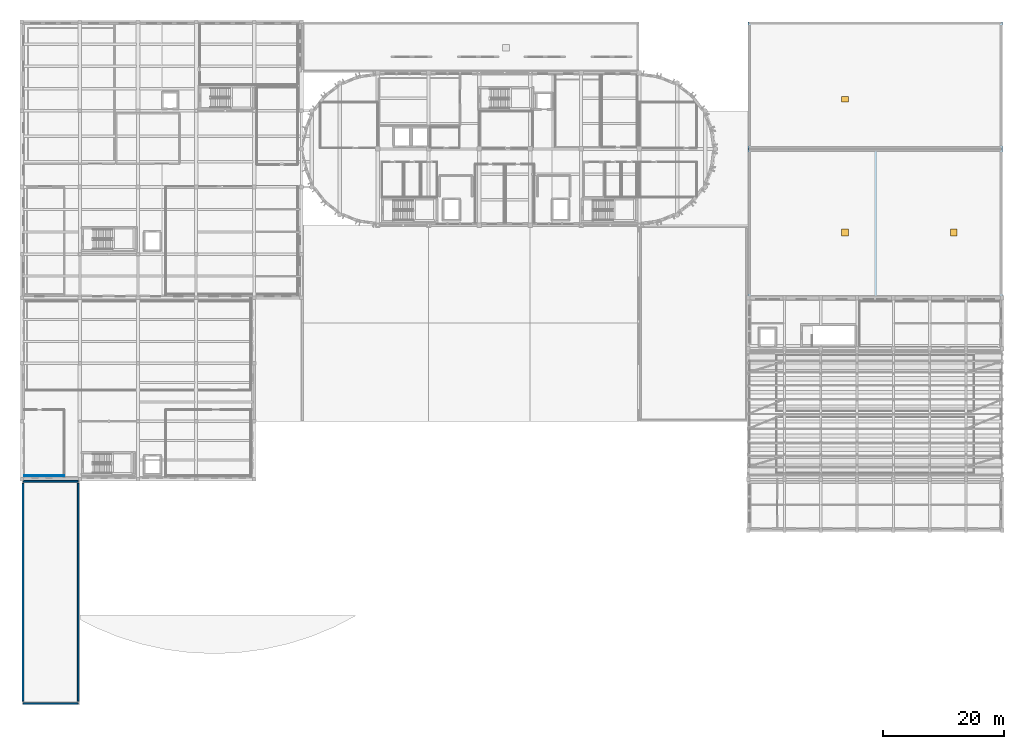
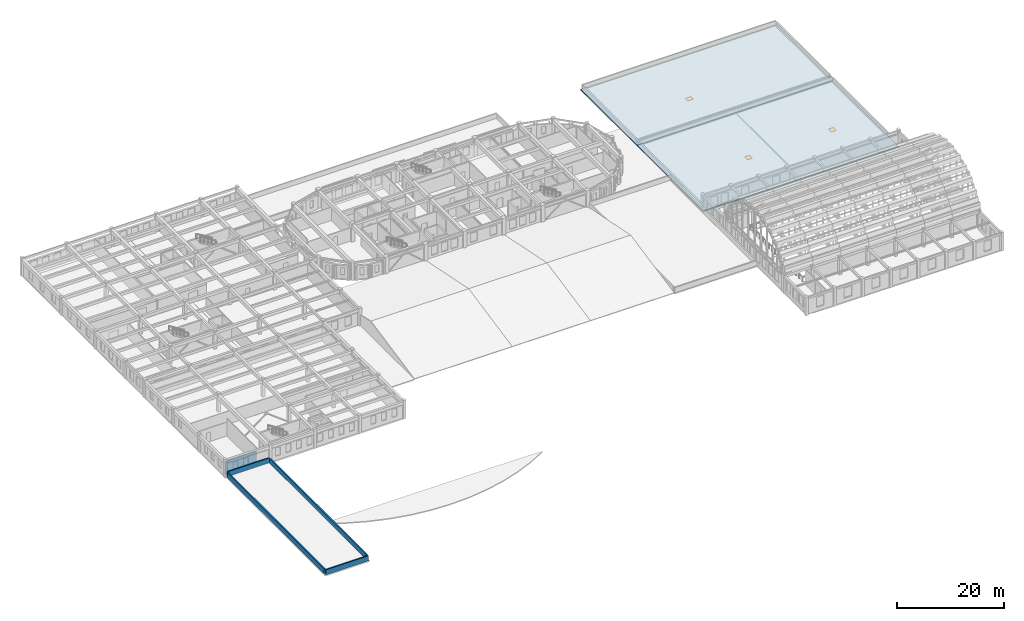
# One storey, part 14 of 46: 5 walls, 3 doors, 2 slabs, 3 openings.
"""IFC4 building model written with IfcOpenShell, lengths in metres."""

from ifc_helpers import new_model, si_unit, direction, frame, frame_2d, origin, origin_2d, place, context, subcontext, project, spatial, polyline, rectangle, outline, extrude, material, layer, layer_set, type_object, element, fill, save


model = new_model("IFC4")

# Units and contexts
model_context = context("Model", 3, precision=1e-05, world=origin(), true_north=direction((0.0, 1.0)))
body_context = subcontext(model_context, "Body", "Model", "MODEL_VIEW")
ifc_project = project(units=[si_unit("LENGTHUNIT", "METRE"), si_unit("AREAUNIT", "SQUARE_METRE"), si_unit("VOLUMEUNIT", "CUBIC_METRE"), si_unit("PLANEANGLEUNIT", "RADIAN"), si_unit("MASSUNIT", "GRAM", prefix="KILO")], contexts=[model_context])

# Site, building, storey
site_placement = place(None, origin())
site = spatial("IfcSite", under=ifc_project, at=site_placement, CompositionType="ELEMENT")
building_placement = place(site_placement, origin())
building = spatial("IfcBuilding", under=site, at=building_placement, Name="Tarnavel Promenade Courthouse", CompositionType="ELEMENT")
storey_placement = place(building_placement, frame((0.0, 0.0, 14.39990234375)))
storey = spatial("IfcBuildingStorey", under=building, at=storey_placement, Name="L04", CompositionType="ELEMENT", Elevation=14.39990234375)

# Slab, openings, doors
ifc_material_1 = material(Name="Concrete C35/45", Category="concrete")
ifc_layer_1 = layer(ifc_material_1, 0.264892578125)
ifc_layer_set_1 = layer_set([ifc_layer_1], Name="Concrete C35/45")
slab_type = type_object("IfcSlabType", Name="Concrete C35/45 SLB-RF-265 (265 mm)", PredefinedType="ROOF", material=ifc_layer_set_1)
slab_1_placement = place(storey_placement, origin())
slab_1 = element("IfcSlab", 1, at=slab_1_placement, inside=storey, type_object=slab_type, Name="L04 Custody Block South Protected Roof", PredefinedType="ROOF", context=body_context, shape_type="SweptSolid", body=[
    extrude(outline(polyline([(120.02001953125, 67.219970703125), (162.0, 67.219970703125), (162.0, 91.780029296875), (120.02001953125, 91.780029296875), (120.02001953125, 67.219970703125)])), origin(), (0.0, 0.0, 1.0), 0.26513671875),
])
opening_1_placement = place(slab_1_placement, frame((136.0, 78.0, 0.0)))
opening_1 = element("IfcOpeningElement", 2, at=opening_1_placement, cuts=slab_1, Name="Opening HT-01", PredefinedType="OPENING", context=body_context, shape_type="SweptSolid", body=[
    extrude(rectangle(XDim=1.10009765625, YDim=1.10009765625, at=origin_2d()), origin(), (0.0, 0.0, 1.0), 0.26513671875),
])
opening_2_placement = place(slab_1_placement, frame((154.0, 78.0, 0.0)))
opening_2 = element("IfcOpeningElement", 3, at=opening_2_placement, cuts=slab_1, Name="Opening HT-01", PredefinedType="OPENING", context=body_context, shape_type="SweptSolid", body=[
    extrude(rectangle(XDim=1.10009765625, YDim=1.10009765625, at=origin_2d()), origin(), (0.0, 0.0, 1.0), 0.26513671875),
])
ifc_material_2 = material(Name="Thermally Broken Insulated Aluminium Roof Access Hatch", Category="aluminium")
door_type_1 = type_object("IfcDoorType", Name="Thermally Broken Insulated Aluminium Roof Access Hatch (HT-RF-1100x1100)", OperationType="NOTDEFINED", PredefinedType="TRAPDOOR", material=ifc_material_2)
door_1_placement = place(opening_1_placement, frame((0.0, 0.0, 0.215087890625)))
door_1 = element("IfcDoor", 4, at=door_1_placement, inside=storey, type_object=door_type_1, Name="L04 Roof Maintenance Access Hatch HT-01", OperationType="SINGLE_SWING_LEFT", OverallHeight=1.10009765625, OverallWidth=1.10009765625, PredefinedType="TRAPDOOR", context=body_context, shape_type="SweptSolid", body=[
    extrude(rectangle(XDim=1.10009765625, YDim=1.10009765625, at=origin_2d()), origin(), (0.0, 0.0, 1.0), 0.050048828125),
])
fill(opening_1, door_1)
door_2_placement = place(opening_2_placement, frame((0.0, 0.0, 0.215087890625)))
door_2 = element("IfcDoor", 5, at=door_2_placement, inside=storey, type_object=door_type_1, Name="L04 Roof Maintenance Access Hatch HT-04", OperationType="SINGLE_SWING_LEFT", OverallHeight=1.10009765625, OverallWidth=1.10009765625, PredefinedType="TRAPDOOR", context=body_context, shape_type="SweptSolid", body=[
    extrude(rectangle(XDim=1.10009765625, YDim=1.10009765625, at=origin_2d()), origin(), (0.0, 0.0, 1.0), 0.050048828125),
])
fill(opening_2, door_2)

# Slab, opening, door
slab_2_placement = place(storey_placement, origin())
slab_2 = element("IfcSlab", 6, at=slab_2_placement, inside=storey, type_object=slab_type, Name="L04 Custody Block North Protected Roof", PredefinedType="ROOF", context=body_context, shape_type="SweptSolid", body=[
    extrude(outline(polyline([(120.02001953125, 91.820068359375), (162.0, 91.820068359375), (162.0, 112.800048828125), (120.02001953125, 112.800048828125), (120.02001953125, 91.820068359375)])), origin(), (0.0, 0.0, 1.0), 0.26513671875),
])
opening_3_placement = place(slab_2_placement, frame((136.0, 100.0, 0.0)))
opening_3 = element("IfcOpeningElement", 7, at=opening_3_placement, cuts=slab_2, Name="Opening HT-02", PredefinedType="OPENING", context=body_context, shape_type="SweptSolid", body=[
    extrude(rectangle(XDim=1.199951171875, YDim=0.89990234375, at=origin_2d()), origin(), (0.0, 0.0, 1.0), 0.26513671875),
])
ifc_material_3 = material(Name="Thermally Broken Insulated Steel Smoke-Vent Roof Hatch", Category="steel")
door_type_2 = type_object("IfcDoorType", Name="Thermally Broken Insulated Steel Smoke-Vent Roof Hatch (HT-RF-1200x0900)", OperationType="NOTDEFINED", PredefinedType="TRAPDOOR", material=ifc_material_3)
door_3_placement = place(opening_3_placement, frame((0.0, 0.0, 0.215087890625)))
door_3 = element("IfcDoor", 8, at=door_3_placement, inside=storey, type_object=door_type_2, Name="L04 Roof Maintenance Access Hatch HT-02", OperationType="SINGLE_SWING_LEFT", OverallHeight=0.89990234375, OverallWidth=1.199951171875, PredefinedType="TRAPDOOR", context=body_context, shape_type="SweptSolid", body=[
    extrude(rectangle(XDim=1.199951171875, YDim=0.89990234375, at=origin_2d()), origin(), (0.0, 0.0, 1.0), 0.050048828125),
])
fill(opening_3, door_3)

# Walls
ifc_layer_2 = layer(ifc_material_1, 0.264892578125)
ifc_layer_set_2 = layer_set([ifc_layer_2], Name="Concrete C35/45")
wall_type_1 = type_object("IfcWallType", Name="Concrete C35/45 WL-PAR-265 (265 mm)", PredefinedType="PARAPET", material=ifc_layer_set_2)
for number, where, z_axis, x_axis, name in (
    (9, (0.199951171875, 36.89990234375, 0.235107421875), (0.0, 0.0, 1.0), (1.0, 0.0, 0.0), "L04 Portal Pavilion Roof Parapet North 0470"),
    (10, (9.300048828125, 0.199951171875, 0.235107421875), (0.0, 0.0, 1.0), (-1.0, 0.0, 0.0), "L04 Portal Pavilion Roof Parapet South 0471"),
):
    element("IfcWall", number, at=place(storey_placement, frame(where, z_axis=z_axis, x_axis=x_axis)), inside=storey, type_object=wall_type_1, Name=name, PredefinedType="PARAPET", context=body_context, shape_type="SweptSolid", body=[
        extrude(rectangle(XDim=9.10009765625, YDim=0.264892578125, at=frame_2d((4.550048828125, 0.0))), origin(), (0.0, 0.0, 1.0), 1.14501953125),
    ])
for number, where, z_axis, x_axis, name in (
    (11, (0.199951171875, 0.550048828125, 0.235107421875), (0.0, 0.0, 1.0), (0.0, 1.0, 0.0), "L04 Portal Pavilion Roof Parapet West 0472"),
    (12, (9.300048828125, 36.550048828125, 0.235107421875), (0.0, 0.0, 1.0), (0.0, -1.0, 0.0), "L04 Portal Pavilion Roof Parapet East 0473"),
):
    element("IfcWall", number, at=place(storey_placement, frame(where, z_axis=z_axis, x_axis=x_axis)), inside=storey, type_object=wall_type_1, Name=name, PredefinedType="PARAPET", context=body_context, shape_type="SweptSolid", body=[
        extrude(rectangle(XDim=36.0, YDim=0.264892578125, at=frame_2d((18.0, 0.0))), origin(), (0.0, 0.0, 1.0), 1.14501953125),
    ])
ifc_material_4 = material(Name="Metal-Stud Acoustic Gypsum Partition", Category="gypsum")
ifc_layer_3 = layer(ifc_material_4, 0.135009765625)
ifc_layer_set_3 = layer_set([ifc_layer_3], Name="Metal-Stud Acoustic Gypsum Partition")
wall_type_2 = type_object("IfcWallType", Name="Metal-Stud Acoustic Gypsum Partition WL-OFF-135 (135 mm)", PredefinedType="PARTITIONING", material=ifc_layer_set_3)
wall_placement = place(storey_placement, frame((7.0, 37.800048828125, 0.0), z_axis=(0.0, 0.0, 1.0), x_axis=(-1.0, 0.0, 0.0)))
element("IfcWall", 13, at=wall_placement, inside=storey, type_object=wall_type_2, Name="L04 L04 Legal Scholars' Study Carrels Partition 0610", PredefinedType="PARTITIONING", context=body_context, shape_type="SweptSolid", body=[
    extrude(rectangle(XDim=6.56103515625, YDim=0.135009765625, at=frame_2d((3.280517578125, 0.0))), origin(), (0.0, 0.0, 1.0), 3.080078125),
])

save(model, "model.ifc")
